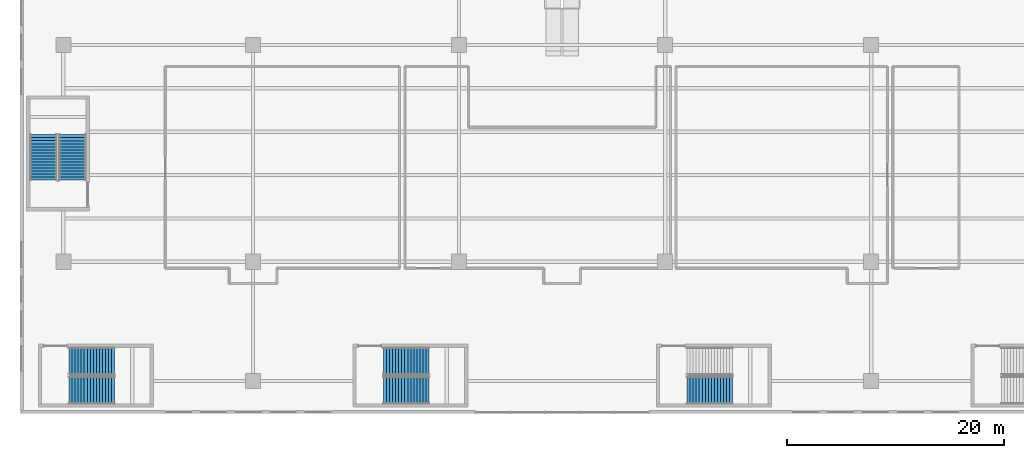
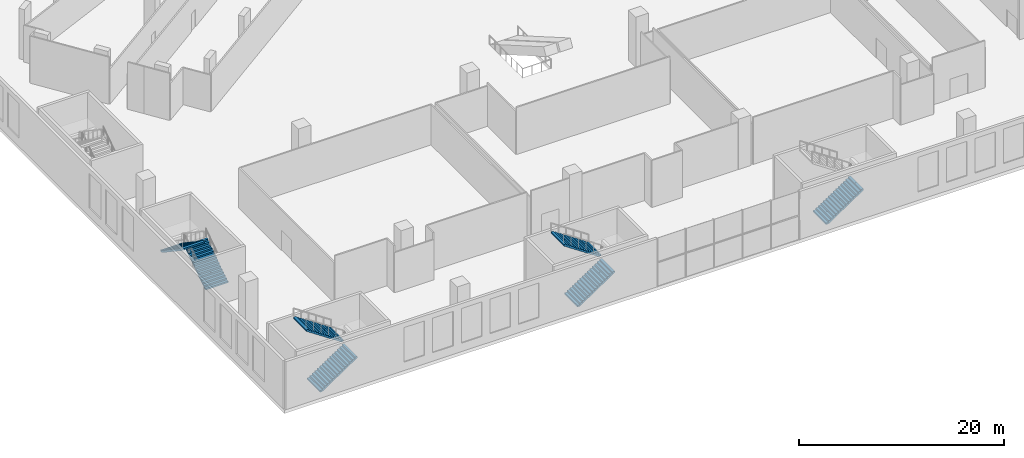
# One storey, part 13 of 25: 7 stair flights, 4 elements without a shape of their own.
"""IFC4 building model written with IfcOpenShell, lengths in metres."""

from ifc_helpers import new_model, si_unit, direction, frame, origin, place, context, subcontext, project, spatial, polyline, outline, extrude, material, type_object, element, aggregate, save


model = new_model("IFC4")

# Units and contexts
model_context = context("Model", 3, precision=1e-05, world=origin(), true_north=direction((0.0, 1.0)))
body_context = subcontext(model_context, "Body", "Model", "MODEL_VIEW")
ifc_project = project(units=[si_unit("LENGTHUNIT", "METRE"), si_unit("AREAUNIT", "SQUARE_METRE"), si_unit("VOLUMEUNIT", "CUBIC_METRE"), si_unit("PLANEANGLEUNIT", "RADIAN"), si_unit("MASSUNIT", "GRAM", prefix="KILO")], contexts=[model_context])

# Site, building, storey
site_placement = place(None, origin())
site = spatial("IfcSite", under=ifc_project, at=site_placement, CompositionType="ELEMENT")
building_placement = place(site_placement, origin())
building = spatial("IfcBuilding", under=site, at=building_placement, Name="Tel Ilan Convention Tower", CompositionType="ELEMENT")
storey_placement = place(building_placement, frame((0.0, 0.0, 26.0)))
storey = spatial("IfcBuildingStorey", under=building, at=storey_placement, Name="L03", CompositionType="ELEMENT", Elevation=26.0)

# Stair, stair flights
ifc_material_1 = material(Name="Concrete C40/50", Category="concrete")
stair_type = type_object("IfcStairType", Name="Pressurised Exit Stair 32 risers 188 mm", PredefinedType="HALF_TURN_STAIR", material=ifc_material_1)
stair_1_placement = place(storey_placement, origin())
stair_1 = element("IfcStair", 1, at=stair_1_placement, inside=storey, type_object=stair_type, Name="L03 Podium Exit Stair P1", PredefinedType="HALF_TURN_STAIR")
ifc_material_2 = material(Name="Precast Concrete C40/50", Category="concrete")
stair_flight_type = type_object("IfcStairFlightType", Name="Concrete Stair Flight 2525 mm 32 risers 188 mm", PredefinedType="STRAIGHT", material=ifc_material_2)
stair_flight_1_placement = place(storey_placement, frame((-45.47509765625, -79.83740234375, 0.0), z_axis=(0.0, 0.0, 1.0), x_axis=(1.0, 0.0, 0.0)))
stair_flight_1 = element("IfcStairFlight", 2, at=stair_flight_1_placement, type_object=stair_flight_type, Name="P1 flight 1", NumberOfRisers=16, NumberOfTreads=15, PredefinedType="STRAIGHT", RiserHeight=0.1875, TreadLength=0.28, context=body_context, shape_type="SweptSolid", body=[
    extrude(outline(polyline([(0.0, 0.0), (0.0, 0.1875), (0.280029296875, 0.1875), (0.280029296875, 0.375), (0.56005859375, 0.375), (0.56005859375, 0.5625), (0.840087890625, 0.5625), (0.840087890625, 0.75), (1.1201171875, 0.75), (1.1201171875, 0.9375), (1.39990234375, 0.9375), (1.39990234375, 1.125), (1.679931640625, 1.125), (1.679931640625, 1.3125), (1.9599609375, 1.3125), (1.9599609375, 1.5), (2.239990234375, 1.5), (2.239990234375, 1.6875), (2.52001953125, 1.6875), (2.52001953125, 1.875), (2.800048828125, 1.875), (2.800048828125, 2.0625), (3.080078125, 2.0625), (3.080078125, 2.25), (3.360107421875, 2.25), (3.360107421875, 2.4375), (3.639892578125, 2.4375), (3.639892578125, 2.625), (3.919921875, 2.625), (3.919921875, 2.8125), (4.199951171875, 2.8125), (4.199951171875, 3.0), (4.199951171875, 2.632080078125), (0.26953125, 0.0), (0.0, 0.0)])), frame((0.0, -0.100341796875, 0.0), z_axis=(0.0, -1.0, 0.0), x_axis=(1.0, 0.0, 0.0)), (0.0, 0.0, 1.0), 1.162109375),
    extrude(outline(polyline([(0.0, 0.0), (0.0, 0.1875), (0.280029296875, 0.1875), (0.280029296875, 0.375), (0.56005859375, 0.375), (0.56005859375, 0.5625), (0.840087890625, 0.5625), (0.840087890625, 0.75), (1.1201171875, 0.75), (1.1201171875, 0.9375), (1.39990234375, 0.9375), (1.39990234375, 1.125), (1.679931640625, 1.125), (1.679931640625, 1.3125), (1.9599609375, 1.3125), (1.9599609375, 1.5), (2.239990234375, 1.5), (2.239990234375, 1.6875), (2.52001953125, 1.6875), (2.52001953125, 1.875), (2.800048828125, 1.875), (2.800048828125, 2.0625), (3.080078125, 2.0625), (3.080078125, 2.25), (3.360107421875, 2.25), (3.360107421875, 2.4375), (3.639892578125, 2.4375), (3.639892578125, 2.625), (3.919921875, 2.625), (3.919921875, 2.8125), (4.199951171875, 2.8125), (4.199951171875, 3.0), (4.199951171875, 2.632080078125), (0.26953125, 0.0), (0.0, 0.0)])), frame((0.0, -0.000244140625, 0.0), z_axis=(0.0, -1.0, 0.0), x_axis=(1.0, 0.0, 0.0)), (0.0, 0.0, 1.0), 0.099609375),
    extrude(outline(polyline([(0.0, 0.0), (0.0, 0.1875), (0.280029296875, 0.1875), (0.280029296875, 0.375), (0.56005859375, 0.375), (0.56005859375, 0.5625), (0.840087890625, 0.5625), (0.840087890625, 0.75), (1.1201171875, 0.75), (1.1201171875, 0.9375), (1.39990234375, 0.9375), (1.39990234375, 1.125), (1.679931640625, 1.125), (1.679931640625, 1.3125), (1.9599609375, 1.3125), (1.9599609375, 1.5), (2.239990234375, 1.5), (2.239990234375, 1.6875), (2.52001953125, 1.6875), (2.52001953125, 1.875), (2.800048828125, 1.875), (2.800048828125, 2.0625), (3.080078125, 2.0625), (3.080078125, 2.25), (3.360107421875, 2.25), (3.360107421875, 2.4375), (3.639892578125, 2.4375), (3.639892578125, 2.625), (3.919921875, 2.625), (3.919921875, 2.8125), (4.199951171875, 2.8125), (4.199951171875, 3.0), (4.199951171875, 2.632080078125), (0.26953125, 0.0), (0.0, 0.0)])), frame((0.0, 0.099853515625, 0.0), z_axis=(0.0, -1.0, 0.0), x_axis=(1.0, 0.0, 0.0)), (0.0, 0.0, 1.0), 0.099609375),
    extrude(outline(polyline([(0.0, 0.0), (0.0, 0.1875), (0.280029296875, 0.1875), (0.280029296875, 0.375), (0.56005859375, 0.375), (0.56005859375, 0.5625), (0.840087890625, 0.5625), (0.840087890625, 0.75), (1.1201171875, 0.75), (1.1201171875, 0.9375), (1.39990234375, 0.9375), (1.39990234375, 1.125), (1.679931640625, 1.125), (1.679931640625, 1.3125), (1.9599609375, 1.3125), (1.9599609375, 1.5), (2.239990234375, 1.5), (2.239990234375, 1.6875), (2.52001953125, 1.6875), (2.52001953125, 1.875), (2.800048828125, 1.875), (2.800048828125, 2.0625), (3.080078125, 2.0625), (3.080078125, 2.25), (3.360107421875, 2.25), (3.360107421875, 2.4375), (3.639892578125, 2.4375), (3.639892578125, 2.625), (3.919921875, 2.625), (3.919921875, 2.8125), (4.199951171875, 2.8125), (4.199951171875, 3.0), (4.199951171875, 2.632080078125), (0.26953125, 0.0), (0.0, 0.0)])), frame((0.0, 1.262451171875, 0.0), z_axis=(0.0, -1.0, 0.0), x_axis=(1.0, 0.0, 0.0)), (0.0, 0.0, 1.0), 1.162109375),
])
stair_flight_2_placement = place(storey_placement, frame((-41.27490234375, -77.16259765625, 3.0), z_axis=(0.0, 0.0, 1.0), x_axis=(-1.0, 0.0, 0.0)))
stair_flight_2 = element("IfcStairFlight", 3, at=stair_flight_2_placement, type_object=stair_flight_type, Name="P1 flight 2", NumberOfRisers=16, NumberOfTreads=15, PredefinedType="STRAIGHT", RiserHeight=0.1875, TreadLength=0.28, context=body_context, shape_type="SweptSolid", body=[
    extrude(outline(polyline([(0.0, 0.0), (0.0, 0.1875), (0.280029296875, 0.1875), (0.280029296875, 0.375), (0.56005859375, 0.375), (0.56005859375, 0.5625), (0.840087890625, 0.5625), (0.840087890625, 0.75), (1.1201171875, 0.75), (1.1201171875, 0.9375), (1.39990234375, 0.9375), (1.39990234375, 1.125), (1.679931640625, 1.125), (1.679931640625, 1.3125), (1.9599609375, 1.3125), (1.9599609375, 1.5), (2.239990234375, 1.5), (2.239990234375, 1.6875), (2.52001953125, 1.6875), (2.52001953125, 1.875), (2.800048828125, 1.875), (2.800048828125, 2.0625), (3.080078125, 2.0625), (3.080078125, 2.25), (3.360107421875, 2.25), (3.360107421875, 2.4375), (3.639892578125, 2.4375), (3.639892578125, 2.625), (3.919921875, 2.625), (3.919921875, 2.8125), (4.199951171875, 2.8125), (4.199951171875, 3.0), (4.199951171875, 2.632080078125), (0.26953125, 0.0), (0.0, 0.0)])), frame((0.0, -0.100341796875, 0.0), z_axis=(0.0, -1.0, 0.0), x_axis=(1.0, 0.0, 0.0)), (0.0, 0.0, 1.0), 1.162109375),
    extrude(outline(polyline([(0.0, 0.0), (0.0, 0.1875), (0.280029296875, 0.1875), (0.280029296875, 0.375), (0.56005859375, 0.375), (0.56005859375, 0.5625), (0.840087890625, 0.5625), (0.840087890625, 0.75), (1.1201171875, 0.75), (1.1201171875, 0.9375), (1.39990234375, 0.9375), (1.39990234375, 1.125), (1.679931640625, 1.125), (1.679931640625, 1.3125), (1.9599609375, 1.3125), (1.9599609375, 1.5), (2.239990234375, 1.5), (2.239990234375, 1.6875), (2.52001953125, 1.6875), (2.52001953125, 1.875), (2.800048828125, 1.875), (2.800048828125, 2.0625), (3.080078125, 2.0625), (3.080078125, 2.25), (3.360107421875, 2.25), (3.360107421875, 2.4375), (3.639892578125, 2.4375), (3.639892578125, 2.625), (3.919921875, 2.625), (3.919921875, 2.8125), (4.199951171875, 2.8125), (4.199951171875, 3.0), (4.199951171875, 2.632080078125), (0.26953125, 0.0), (0.0, 0.0)])), frame((0.0, -0.000244140625, 0.0), z_axis=(0.0, -1.0, 0.0), x_axis=(1.0, 0.0, 0.0)), (0.0, 0.0, 1.0), 0.099609375),
    extrude(outline(polyline([(0.0, 0.0), (0.0, 0.1875), (0.280029296875, 0.1875), (0.280029296875, 0.375), (0.56005859375, 0.375), (0.56005859375, 0.5625), (0.840087890625, 0.5625), (0.840087890625, 0.75), (1.1201171875, 0.75), (1.1201171875, 0.9375), (1.39990234375, 0.9375), (1.39990234375, 1.125), (1.679931640625, 1.125), (1.679931640625, 1.3125), (1.9599609375, 1.3125), (1.9599609375, 1.5), (2.239990234375, 1.5), (2.239990234375, 1.6875), (2.52001953125, 1.6875), (2.52001953125, 1.875), (2.800048828125, 1.875), (2.800048828125, 2.0625), (3.080078125, 2.0625), (3.080078125, 2.25), (3.360107421875, 2.25), (3.360107421875, 2.4375), (3.639892578125, 2.4375), (3.639892578125, 2.625), (3.919921875, 2.625), (3.919921875, 2.8125), (4.199951171875, 2.8125), (4.199951171875, 3.0), (4.199951171875, 2.632080078125), (0.26953125, 0.0), (0.0, 0.0)])), frame((0.0, 0.099853515625, 0.0), z_axis=(0.0, -1.0, 0.0), x_axis=(1.0, 0.0, 0.0)), (0.0, 0.0, 1.0), 0.099609375),
    extrude(outline(polyline([(0.0, 0.0), (0.0, 0.1875), (0.280029296875, 0.1875), (0.280029296875, 0.375), (0.56005859375, 0.375), (0.56005859375, 0.5625), (0.840087890625, 0.5625), (0.840087890625, 0.75), (1.1201171875, 0.75), (1.1201171875, 0.9375), (1.39990234375, 0.9375), (1.39990234375, 1.125), (1.679931640625, 1.125), (1.679931640625, 1.3125), (1.9599609375, 1.3125), (1.9599609375, 1.5), (2.239990234375, 1.5), (2.239990234375, 1.6875), (2.52001953125, 1.6875), (2.52001953125, 1.875), (2.800048828125, 1.875), (2.800048828125, 2.0625), (3.080078125, 2.0625), (3.080078125, 2.25), (3.360107421875, 2.25), (3.360107421875, 2.4375), (3.639892578125, 2.4375), (3.639892578125, 2.625), (3.919921875, 2.625), (3.919921875, 2.8125), (4.199951171875, 2.8125), (4.199951171875, 3.0), (4.199951171875, 2.632080078125), (0.26953125, 0.0), (0.0, 0.0)])), frame((0.0, 1.262451171875, 0.0), z_axis=(0.0, -1.0, 0.0), x_axis=(1.0, 0.0, 0.0)), (0.0, 0.0, 1.0), 1.162109375),
])
aggregate(stair_1, [stair_flight_1, stair_flight_2])

stair_2_placement = place(storey_placement, origin())
stair_2 = element("IfcStair", 4, at=stair_2_placement, inside=storey, type_object=stair_type, Name="L03 Podium Exit Stair P2", PredefinedType="HALF_TURN_STAIR")
stair_flight_3_placement = place(storey_placement, frame((-16.47509765625, -79.83740234375, 0.0), z_axis=(0.0, 0.0, 1.0), x_axis=(1.0, 0.0, 0.0)))
stair_flight_3 = element("IfcStairFlight", 5, at=stair_flight_3_placement, type_object=stair_flight_type, Name="P2 flight 1", NumberOfRisers=16, NumberOfTreads=15, PredefinedType="STRAIGHT", RiserHeight=0.1875, TreadLength=0.28, context=body_context, shape_type="SweptSolid", body=[
    extrude(outline(polyline([(0.0, 0.0), (0.0, 0.1875), (0.280029296875, 0.1875), (0.280029296875, 0.375), (0.56005859375, 0.375), (0.56005859375, 0.5625), (0.840087890625, 0.5625), (0.840087890625, 0.75), (1.1201171875, 0.75), (1.1201171875, 0.9375), (1.39990234375, 0.9375), (1.39990234375, 1.125), (1.679931640625, 1.125), (1.679931640625, 1.3125), (1.9599609375, 1.3125), (1.9599609375, 1.5), (2.239990234375, 1.5), (2.239990234375, 1.6875), (2.52001953125, 1.6875), (2.52001953125, 1.875), (2.800048828125, 1.875), (2.800048828125, 2.0625), (3.080078125, 2.0625), (3.080078125, 2.25), (3.360107421875, 2.25), (3.360107421875, 2.4375), (3.639892578125, 2.4375), (3.639892578125, 2.625), (3.919921875, 2.625), (3.919921875, 2.8125), (4.199951171875, 2.8125), (4.199951171875, 3.0), (4.199951171875, 2.632080078125), (0.26953125, 0.0), (0.0, 0.0)])), frame((0.0, -0.100341796875, 0.0), z_axis=(0.0, -1.0, 0.0), x_axis=(1.0, 0.0, 0.0)), (0.0, 0.0, 1.0), 1.162109375),
    extrude(outline(polyline([(0.0, 0.0), (0.0, 0.1875), (0.280029296875, 0.1875), (0.280029296875, 0.375), (0.56005859375, 0.375), (0.56005859375, 0.5625), (0.840087890625, 0.5625), (0.840087890625, 0.75), (1.1201171875, 0.75), (1.1201171875, 0.9375), (1.39990234375, 0.9375), (1.39990234375, 1.125), (1.679931640625, 1.125), (1.679931640625, 1.3125), (1.9599609375, 1.3125), (1.9599609375, 1.5), (2.239990234375, 1.5), (2.239990234375, 1.6875), (2.52001953125, 1.6875), (2.52001953125, 1.875), (2.800048828125, 1.875), (2.800048828125, 2.0625), (3.080078125, 2.0625), (3.080078125, 2.25), (3.360107421875, 2.25), (3.360107421875, 2.4375), (3.639892578125, 2.4375), (3.639892578125, 2.625), (3.919921875, 2.625), (3.919921875, 2.8125), (4.199951171875, 2.8125), (4.199951171875, 3.0), (4.199951171875, 2.632080078125), (0.26953125, 0.0), (0.0, 0.0)])), frame((0.0, -0.000244140625, 0.0), z_axis=(0.0, -1.0, 0.0), x_axis=(1.0, 0.0, 0.0)), (0.0, 0.0, 1.0), 0.099609375),
    extrude(outline(polyline([(0.0, 0.0), (0.0, 0.1875), (0.280029296875, 0.1875), (0.280029296875, 0.375), (0.56005859375, 0.375), (0.56005859375, 0.5625), (0.840087890625, 0.5625), (0.840087890625, 0.75), (1.1201171875, 0.75), (1.1201171875, 0.9375), (1.39990234375, 0.9375), (1.39990234375, 1.125), (1.679931640625, 1.125), (1.679931640625, 1.3125), (1.9599609375, 1.3125), (1.9599609375, 1.5), (2.239990234375, 1.5), (2.239990234375, 1.6875), (2.52001953125, 1.6875), (2.52001953125, 1.875), (2.800048828125, 1.875), (2.800048828125, 2.0625), (3.080078125, 2.0625), (3.080078125, 2.25), (3.360107421875, 2.25), (3.360107421875, 2.4375), (3.639892578125, 2.4375), (3.639892578125, 2.625), (3.919921875, 2.625), (3.919921875, 2.8125), (4.199951171875, 2.8125), (4.199951171875, 3.0), (4.199951171875, 2.632080078125), (0.26953125, 0.0), (0.0, 0.0)])), frame((0.0, 0.099853515625, 0.0), z_axis=(0.0, -1.0, 0.0), x_axis=(1.0, 0.0, 0.0)), (0.0, 0.0, 1.0), 0.099609375),
    extrude(outline(polyline([(0.0, 0.0), (0.0, 0.1875), (0.280029296875, 0.1875), (0.280029296875, 0.375), (0.56005859375, 0.375), (0.56005859375, 0.5625), (0.840087890625, 0.5625), (0.840087890625, 0.75), (1.1201171875, 0.75), (1.1201171875, 0.9375), (1.39990234375, 0.9375), (1.39990234375, 1.125), (1.679931640625, 1.125), (1.679931640625, 1.3125), (1.9599609375, 1.3125), (1.9599609375, 1.5), (2.239990234375, 1.5), (2.239990234375, 1.6875), (2.52001953125, 1.6875), (2.52001953125, 1.875), (2.800048828125, 1.875), (2.800048828125, 2.0625), (3.080078125, 2.0625), (3.080078125, 2.25), (3.360107421875, 2.25), (3.360107421875, 2.4375), (3.639892578125, 2.4375), (3.639892578125, 2.625), (3.919921875, 2.625), (3.919921875, 2.8125), (4.199951171875, 2.8125), (4.199951171875, 3.0), (4.199951171875, 2.632080078125), (0.26953125, 0.0), (0.0, 0.0)])), frame((0.0, 1.262451171875, 0.0), z_axis=(0.0, -1.0, 0.0), x_axis=(1.0, 0.0, 0.0)), (0.0, 0.0, 1.0), 1.162109375),
])
stair_flight_4_placement = place(storey_placement, frame((-12.27490234375, -77.16259765625, 3.0), z_axis=(0.0, 0.0, 1.0), x_axis=(-1.0, 0.0, 0.0)))
stair_flight_4 = element("IfcStairFlight", 6, at=stair_flight_4_placement, type_object=stair_flight_type, Name="P2 flight 2", NumberOfRisers=16, NumberOfTreads=15, PredefinedType="STRAIGHT", RiserHeight=0.1875, TreadLength=0.28, context=body_context, shape_type="SweptSolid", body=[
    extrude(outline(polyline([(0.0, 0.0), (0.0, 0.1875), (0.280029296875, 0.1875), (0.280029296875, 0.375), (0.56005859375, 0.375), (0.56005859375, 0.5625), (0.840087890625, 0.5625), (0.840087890625, 0.75), (1.1201171875, 0.75), (1.1201171875, 0.9375), (1.39990234375, 0.9375), (1.39990234375, 1.125), (1.679931640625, 1.125), (1.679931640625, 1.3125), (1.9599609375, 1.3125), (1.9599609375, 1.5), (2.239990234375, 1.5), (2.239990234375, 1.6875), (2.52001953125, 1.6875), (2.52001953125, 1.875), (2.800048828125, 1.875), (2.800048828125, 2.0625), (3.080078125, 2.0625), (3.080078125, 2.25), (3.360107421875, 2.25), (3.360107421875, 2.4375), (3.639892578125, 2.4375), (3.639892578125, 2.625), (3.919921875, 2.625), (3.919921875, 2.8125), (4.199951171875, 2.8125), (4.199951171875, 3.0), (4.199951171875, 2.632080078125), (0.26953125, 0.0), (0.0, 0.0)])), frame((0.0, -0.100341796875, 0.0), z_axis=(0.0, -1.0, 0.0), x_axis=(1.0, 0.0, 0.0)), (0.0, 0.0, 1.0), 1.162109375),
    extrude(outline(polyline([(0.0, 0.0), (0.0, 0.1875), (0.280029296875, 0.1875), (0.280029296875, 0.375), (0.56005859375, 0.375), (0.56005859375, 0.5625), (0.840087890625, 0.5625), (0.840087890625, 0.75), (1.1201171875, 0.75), (1.1201171875, 0.9375), (1.39990234375, 0.9375), (1.39990234375, 1.125), (1.679931640625, 1.125), (1.679931640625, 1.3125), (1.9599609375, 1.3125), (1.9599609375, 1.5), (2.239990234375, 1.5), (2.239990234375, 1.6875), (2.52001953125, 1.6875), (2.52001953125, 1.875), (2.800048828125, 1.875), (2.800048828125, 2.0625), (3.080078125, 2.0625), (3.080078125, 2.25), (3.360107421875, 2.25), (3.360107421875, 2.4375), (3.639892578125, 2.4375), (3.639892578125, 2.625), (3.919921875, 2.625), (3.919921875, 2.8125), (4.199951171875, 2.8125), (4.199951171875, 3.0), (4.199951171875, 2.632080078125), (0.26953125, 0.0), (0.0, 0.0)])), frame((0.0, -0.000244140625, 0.0), z_axis=(0.0, -1.0, 0.0), x_axis=(1.0, 0.0, 0.0)), (0.0, 0.0, 1.0), 0.099609375),
    extrude(outline(polyline([(0.0, 0.0), (0.0, 0.1875), (0.280029296875, 0.1875), (0.280029296875, 0.375), (0.56005859375, 0.375), (0.56005859375, 0.5625), (0.840087890625, 0.5625), (0.840087890625, 0.75), (1.1201171875, 0.75), (1.1201171875, 0.9375), (1.39990234375, 0.9375), (1.39990234375, 1.125), (1.679931640625, 1.125), (1.679931640625, 1.3125), (1.9599609375, 1.3125), (1.9599609375, 1.5), (2.239990234375, 1.5), (2.239990234375, 1.6875), (2.52001953125, 1.6875), (2.52001953125, 1.875), (2.800048828125, 1.875), (2.800048828125, 2.0625), (3.080078125, 2.0625), (3.080078125, 2.25), (3.360107421875, 2.25), (3.360107421875, 2.4375), (3.639892578125, 2.4375), (3.639892578125, 2.625), (3.919921875, 2.625), (3.919921875, 2.8125), (4.199951171875, 2.8125), (4.199951171875, 3.0), (4.199951171875, 2.632080078125), (0.26953125, 0.0), (0.0, 0.0)])), frame((0.0, 0.099853515625, 0.0), z_axis=(0.0, -1.0, 0.0), x_axis=(1.0, 0.0, 0.0)), (0.0, 0.0, 1.0), 0.099609375),
    extrude(outline(polyline([(0.0, 0.0), (0.0, 0.1875), (0.280029296875, 0.1875), (0.280029296875, 0.375), (0.56005859375, 0.375), (0.56005859375, 0.5625), (0.840087890625, 0.5625), (0.840087890625, 0.75), (1.1201171875, 0.75), (1.1201171875, 0.9375), (1.39990234375, 0.9375), (1.39990234375, 1.125), (1.679931640625, 1.125), (1.679931640625, 1.3125), (1.9599609375, 1.3125), (1.9599609375, 1.5), (2.239990234375, 1.5), (2.239990234375, 1.6875), (2.52001953125, 1.6875), (2.52001953125, 1.875), (2.800048828125, 1.875), (2.800048828125, 2.0625), (3.080078125, 2.0625), (3.080078125, 2.25), (3.360107421875, 2.25), (3.360107421875, 2.4375), (3.639892578125, 2.4375), (3.639892578125, 2.625), (3.919921875, 2.625), (3.919921875, 2.8125), (4.199951171875, 2.8125), (4.199951171875, 3.0), (4.199951171875, 2.632080078125), (0.26953125, 0.0), (0.0, 0.0)])), frame((0.0, 1.262451171875, 0.0), z_axis=(0.0, -1.0, 0.0), x_axis=(1.0, 0.0, 0.0)), (0.0, 0.0, 1.0), 1.162109375),
])
aggregate(stair_2, [stair_flight_3, stair_flight_4])

# Stair, stair flight
stair_3_placement = place(storey_placement, origin())
stair_3 = element("IfcStair", 7, at=stair_3_placement, inside=storey, type_object=stair_type, Name="L03 Podium Exit Stair P3", PredefinedType="HALF_TURN_STAIR")
stair_flight_5_placement = place(storey_placement, frame((11.52490234375, -79.83740234375, 0.0), z_axis=(0.0, 0.0, 1.0), x_axis=(1.0, 0.0, 0.0)))
stair_flight_5 = element("IfcStairFlight", 8, at=stair_flight_5_placement, type_object=stair_flight_type, Name="P3 flight 1", NumberOfRisers=16, NumberOfTreads=15, PredefinedType="STRAIGHT", RiserHeight=0.1875, TreadLength=0.28, context=body_context, shape_type="SweptSolid", body=[
    extrude(outline(polyline([(0.0, 0.0), (0.0, 0.1875), (0.280029296875, 0.1875), (0.280029296875, 0.375), (0.56005859375, 0.375), (0.56005859375, 0.5625), (0.840087890625, 0.5625), (0.840087890625, 0.75), (1.1201171875, 0.75), (1.1201171875, 0.9375), (1.39990234375, 0.9375), (1.39990234375, 1.125), (1.679931640625, 1.125), (1.679931640625, 1.3125), (1.9599609375, 1.3125), (1.9599609375, 1.5), (2.239990234375, 1.5), (2.239990234375, 1.6875), (2.52001953125, 1.6875), (2.52001953125, 1.875), (2.800048828125, 1.875), (2.800048828125, 2.0625), (3.080078125, 2.0625), (3.080078125, 2.25), (3.360107421875, 2.25), (3.360107421875, 2.4375), (3.639892578125, 2.4375), (3.639892578125, 2.625), (3.919921875, 2.625), (3.919921875, 2.8125), (4.199951171875, 2.8125), (4.199951171875, 3.0), (4.199951171875, 2.632080078125), (0.26953125, 0.0), (0.0, 0.0)])), frame((0.0, -0.100341796875, 0.0), z_axis=(0.0, -1.0, 0.0), x_axis=(1.0, 0.0, 0.0)), (0.0, 0.0, 1.0), 1.162109375),
    extrude(outline(polyline([(0.0, 0.0), (0.0, 0.1875), (0.280029296875, 0.1875), (0.280029296875, 0.375), (0.56005859375, 0.375), (0.56005859375, 0.5625), (0.840087890625, 0.5625), (0.840087890625, 0.75), (1.1201171875, 0.75), (1.1201171875, 0.9375), (1.39990234375, 0.9375), (1.39990234375, 1.125), (1.679931640625, 1.125), (1.679931640625, 1.3125), (1.9599609375, 1.3125), (1.9599609375, 1.5), (2.239990234375, 1.5), (2.239990234375, 1.6875), (2.52001953125, 1.6875), (2.52001953125, 1.875), (2.800048828125, 1.875), (2.800048828125, 2.0625), (3.080078125, 2.0625), (3.080078125, 2.25), (3.360107421875, 2.25), (3.360107421875, 2.4375), (3.639892578125, 2.4375), (3.639892578125, 2.625), (3.919921875, 2.625), (3.919921875, 2.8125), (4.199951171875, 2.8125), (4.199951171875, 3.0), (4.199951171875, 2.632080078125), (0.26953125, 0.0), (0.0, 0.0)])), frame((0.0, -0.000244140625, 0.0), z_axis=(0.0, -1.0, 0.0), x_axis=(1.0, 0.0, 0.0)), (0.0, 0.0, 1.0), 0.099609375),
    extrude(outline(polyline([(0.0, 0.0), (0.0, 0.1875), (0.280029296875, 0.1875), (0.280029296875, 0.375), (0.56005859375, 0.375), (0.56005859375, 0.5625), (0.840087890625, 0.5625), (0.840087890625, 0.75), (1.1201171875, 0.75), (1.1201171875, 0.9375), (1.39990234375, 0.9375), (1.39990234375, 1.125), (1.679931640625, 1.125), (1.679931640625, 1.3125), (1.9599609375, 1.3125), (1.9599609375, 1.5), (2.239990234375, 1.5), (2.239990234375, 1.6875), (2.52001953125, 1.6875), (2.52001953125, 1.875), (2.800048828125, 1.875), (2.800048828125, 2.0625), (3.080078125, 2.0625), (3.080078125, 2.25), (3.360107421875, 2.25), (3.360107421875, 2.4375), (3.639892578125, 2.4375), (3.639892578125, 2.625), (3.919921875, 2.625), (3.919921875, 2.8125), (4.199951171875, 2.8125), (4.199951171875, 3.0), (4.199951171875, 2.632080078125), (0.26953125, 0.0), (0.0, 0.0)])), frame((0.0, 0.099853515625, 0.0), z_axis=(0.0, -1.0, 0.0), x_axis=(1.0, 0.0, 0.0)), (0.0, 0.0, 1.0), 0.099609375),
    extrude(outline(polyline([(0.0, 0.0), (0.0, 0.1875), (0.280029296875, 0.1875), (0.280029296875, 0.375), (0.56005859375, 0.375), (0.56005859375, 0.5625), (0.840087890625, 0.5625), (0.840087890625, 0.75), (1.1201171875, 0.75), (1.1201171875, 0.9375), (1.39990234375, 0.9375), (1.39990234375, 1.125), (1.679931640625, 1.125), (1.679931640625, 1.3125), (1.9599609375, 1.3125), (1.9599609375, 1.5), (2.239990234375, 1.5), (2.239990234375, 1.6875), (2.52001953125, 1.6875), (2.52001953125, 1.875), (2.800048828125, 1.875), (2.800048828125, 2.0625), (3.080078125, 2.0625), (3.080078125, 2.25), (3.360107421875, 2.25), (3.360107421875, 2.4375), (3.639892578125, 2.4375), (3.639892578125, 2.625), (3.919921875, 2.625), (3.919921875, 2.8125), (4.199951171875, 2.8125), (4.199951171875, 3.0), (4.199951171875, 2.632080078125), (0.26953125, 0.0), (0.0, 0.0)])), frame((0.0, 1.262451171875, 0.0), z_axis=(0.0, -1.0, 0.0), x_axis=(1.0, 0.0, 0.0)), (0.0, 0.0, 1.0), 1.162109375),
])
aggregate(stair_3, [stair_flight_5])

# Stair, stair flights
stair_4_placement = place(storey_placement, origin())
stair_4 = element("IfcStair", 9, at=stair_4_placement, inside=storey, type_object=stair_type, Name="L03 Podium Exit Stair P5", PredefinedType="HALF_TURN_STAIR")
stair_flight_6_placement = place(storey_placement, frame((-45.16259765625, -60.47509765625, 0.0), z_axis=(0.0, 0.0, 1.0), x_axis=(0.0, 1.0, 0.0)))
stair_flight_6 = element("IfcStairFlight", 10, at=stair_flight_6_placement, type_object=stair_flight_type, Name="P5 flight 1", NumberOfRisers=16, NumberOfTreads=15, PredefinedType="STRAIGHT", RiserHeight=0.1875, TreadLength=0.28, context=body_context, shape_type="SweptSolid", body=[
    extrude(outline(polyline([(0.0, 0.0), (0.0, 0.1875), (0.280029296875, 0.1875), (0.280029296875, 0.375), (0.56005859375, 0.375), (0.56005859375, 0.5625), (0.840087890625, 0.5625), (0.840087890625, 0.75), (1.1201171875, 0.75), (1.1201171875, 0.9375), (1.39990234375, 0.9375), (1.39990234375, 1.125), (1.679931640625, 1.125), (1.679931640625, 1.3125), (1.9599609375, 1.3125), (1.9599609375, 1.5), (2.239990234375, 1.5), (2.239990234375, 1.6875), (2.52001953125, 1.6875), (2.52001953125, 1.875), (2.800048828125, 1.875), (2.800048828125, 2.0625), (3.080078125, 2.0625), (3.080078125, 2.25), (3.360107421875, 2.25), (3.360107421875, 2.4375), (3.639892578125, 2.4375), (3.639892578125, 2.625), (3.919921875, 2.625), (3.919921875, 2.8125), (4.199951171875, 2.8125), (4.199951171875, 3.0), (4.199951171875, 2.632080078125), (0.26953125, 0.0), (0.0, 0.0)])), frame((0.0, -0.100341796875, 0.0), z_axis=(0.0, -1.0, 0.0), x_axis=(1.0, 0.0, 0.0)), (0.0, 0.0, 1.0), 1.162109375),
    extrude(outline(polyline([(0.0, 0.0), (0.0, 0.1875), (0.280029296875, 0.1875), (0.280029296875, 0.375), (0.56005859375, 0.375), (0.56005859375, 0.5625), (0.840087890625, 0.5625), (0.840087890625, 0.75), (1.1201171875, 0.75), (1.1201171875, 0.9375), (1.39990234375, 0.9375), (1.39990234375, 1.125), (1.679931640625, 1.125), (1.679931640625, 1.3125), (1.9599609375, 1.3125), (1.9599609375, 1.5), (2.239990234375, 1.5), (2.239990234375, 1.6875), (2.52001953125, 1.6875), (2.52001953125, 1.875), (2.800048828125, 1.875), (2.800048828125, 2.0625), (3.080078125, 2.0625), (3.080078125, 2.25), (3.360107421875, 2.25), (3.360107421875, 2.4375), (3.639892578125, 2.4375), (3.639892578125, 2.625), (3.919921875, 2.625), (3.919921875, 2.8125), (4.199951171875, 2.8125), (4.199951171875, 3.0), (4.199951171875, 2.632080078125), (0.26953125, 0.0), (0.0, 0.0)])), frame((0.0, -0.000244140625, 0.0), z_axis=(0.0, -1.0, 0.0), x_axis=(1.0, 0.0, 0.0)), (0.0, 0.0, 1.0), 0.099609375),
    extrude(outline(polyline([(0.0, 0.0), (0.0, 0.1875), (0.280029296875, 0.1875), (0.280029296875, 0.375), (0.56005859375, 0.375), (0.56005859375, 0.5625), (0.840087890625, 0.5625), (0.840087890625, 0.75), (1.1201171875, 0.75), (1.1201171875, 0.9375), (1.39990234375, 0.9375), (1.39990234375, 1.125), (1.679931640625, 1.125), (1.679931640625, 1.3125), (1.9599609375, 1.3125), (1.9599609375, 1.5), (2.239990234375, 1.5), (2.239990234375, 1.6875), (2.52001953125, 1.6875), (2.52001953125, 1.875), (2.800048828125, 1.875), (2.800048828125, 2.0625), (3.080078125, 2.0625), (3.080078125, 2.25), (3.360107421875, 2.25), (3.360107421875, 2.4375), (3.639892578125, 2.4375), (3.639892578125, 2.625), (3.919921875, 2.625), (3.919921875, 2.8125), (4.199951171875, 2.8125), (4.199951171875, 3.0), (4.199951171875, 2.632080078125), (0.26953125, 0.0), (0.0, 0.0)])), frame((0.0, 0.099853515625, 0.0), z_axis=(0.0, -1.0, 0.0), x_axis=(1.0, 0.0, 0.0)), (0.0, 0.0, 1.0), 0.099609375),
    extrude(outline(polyline([(0.0, 0.0), (0.0, 0.1875), (0.280029296875, 0.1875), (0.280029296875, 0.375), (0.56005859375, 0.375), (0.56005859375, 0.5625), (0.840087890625, 0.5625), (0.840087890625, 0.75), (1.1201171875, 0.75), (1.1201171875, 0.9375), (1.39990234375, 0.9375), (1.39990234375, 1.125), (1.679931640625, 1.125), (1.679931640625, 1.3125), (1.9599609375, 1.3125), (1.9599609375, 1.5), (2.239990234375, 1.5), (2.239990234375, 1.6875), (2.52001953125, 1.6875), (2.52001953125, 1.875), (2.800048828125, 1.875), (2.800048828125, 2.0625), (3.080078125, 2.0625), (3.080078125, 2.25), (3.360107421875, 2.25), (3.360107421875, 2.4375), (3.639892578125, 2.4375), (3.639892578125, 2.625), (3.919921875, 2.625), (3.919921875, 2.8125), (4.199951171875, 2.8125), (4.199951171875, 3.0), (4.199951171875, 2.632080078125), (0.26953125, 0.0), (0.0, 0.0)])), frame((0.0, 1.262451171875, 0.0), z_axis=(0.0, -1.0, 0.0), x_axis=(1.0, 0.0, 0.0)), (0.0, 0.0, 1.0), 1.162109375),
])
stair_flight_7_placement = place(storey_placement, frame((-47.83740234375, -56.27490234375, 3.0), z_axis=(0.0, 0.0, 1.0), x_axis=(0.0, -1.0, 0.0)))
stair_flight_7 = element("IfcStairFlight", 11, at=stair_flight_7_placement, type_object=stair_flight_type, Name="P5 flight 2", NumberOfRisers=16, NumberOfTreads=15, PredefinedType="STRAIGHT", RiserHeight=0.1875, TreadLength=0.28, context=body_context, shape_type="SweptSolid", body=[
    extrude(outline(polyline([(0.0, 0.0), (0.0, 0.1875), (0.280029296875, 0.1875), (0.280029296875, 0.375), (0.56005859375, 0.375), (0.56005859375, 0.5625), (0.840087890625, 0.5625), (0.840087890625, 0.75), (1.1201171875, 0.75), (1.1201171875, 0.9375), (1.39990234375, 0.9375), (1.39990234375, 1.125), (1.679931640625, 1.125), (1.679931640625, 1.3125), (1.9599609375, 1.3125), (1.9599609375, 1.5), (2.239990234375, 1.5), (2.239990234375, 1.6875), (2.52001953125, 1.6875), (2.52001953125, 1.875), (2.800048828125, 1.875), (2.800048828125, 2.0625), (3.080078125, 2.0625), (3.080078125, 2.25), (3.360107421875, 2.25), (3.360107421875, 2.4375), (3.639892578125, 2.4375), (3.639892578125, 2.625), (3.919921875, 2.625), (3.919921875, 2.8125), (4.199951171875, 2.8125), (4.199951171875, 3.0), (4.199951171875, 2.632080078125), (0.26953125, 0.0), (0.0, 0.0)])), frame((0.0, -0.100341796875, 0.0), z_axis=(0.0, -1.0, 0.0), x_axis=(1.0, 0.0, 0.0)), (0.0, 0.0, 1.0), 1.162109375),
    extrude(outline(polyline([(0.0, 0.0), (0.0, 0.1875), (0.280029296875, 0.1875), (0.280029296875, 0.375), (0.56005859375, 0.375), (0.56005859375, 0.5625), (0.840087890625, 0.5625), (0.840087890625, 0.75), (1.1201171875, 0.75), (1.1201171875, 0.9375), (1.39990234375, 0.9375), (1.39990234375, 1.125), (1.679931640625, 1.125), (1.679931640625, 1.3125), (1.9599609375, 1.3125), (1.9599609375, 1.5), (2.239990234375, 1.5), (2.239990234375, 1.6875), (2.52001953125, 1.6875), (2.52001953125, 1.875), (2.800048828125, 1.875), (2.800048828125, 2.0625), (3.080078125, 2.0625), (3.080078125, 2.25), (3.360107421875, 2.25), (3.360107421875, 2.4375), (3.639892578125, 2.4375), (3.639892578125, 2.625), (3.919921875, 2.625), (3.919921875, 2.8125), (4.199951171875, 2.8125), (4.199951171875, 3.0), (4.199951171875, 2.632080078125), (0.26953125, 0.0), (0.0, 0.0)])), frame((0.0, -0.000244140625, 0.0), z_axis=(0.0, -1.0, 0.0), x_axis=(1.0, 0.0, 0.0)), (0.0, 0.0, 1.0), 0.099609375),
    extrude(outline(polyline([(0.0, 0.0), (0.0, 0.1875), (0.280029296875, 0.1875), (0.280029296875, 0.375), (0.56005859375, 0.375), (0.56005859375, 0.5625), (0.840087890625, 0.5625), (0.840087890625, 0.75), (1.1201171875, 0.75), (1.1201171875, 0.9375), (1.39990234375, 0.9375), (1.39990234375, 1.125), (1.679931640625, 1.125), (1.679931640625, 1.3125), (1.9599609375, 1.3125), (1.9599609375, 1.5), (2.239990234375, 1.5), (2.239990234375, 1.6875), (2.52001953125, 1.6875), (2.52001953125, 1.875), (2.800048828125, 1.875), (2.800048828125, 2.0625), (3.080078125, 2.0625), (3.080078125, 2.25), (3.360107421875, 2.25), (3.360107421875, 2.4375), (3.639892578125, 2.4375), (3.639892578125, 2.625), (3.919921875, 2.625), (3.919921875, 2.8125), (4.199951171875, 2.8125), (4.199951171875, 3.0), (4.199951171875, 2.632080078125), (0.26953125, 0.0), (0.0, 0.0)])), frame((0.0, 0.099853515625, 0.0), z_axis=(0.0, -1.0, 0.0), x_axis=(1.0, 0.0, 0.0)), (0.0, 0.0, 1.0), 0.099609375),
    extrude(outline(polyline([(0.0, 0.0), (0.0, 0.1875), (0.280029296875, 0.1875), (0.280029296875, 0.375), (0.56005859375, 0.375), (0.56005859375, 0.5625), (0.840087890625, 0.5625), (0.840087890625, 0.75), (1.1201171875, 0.75), (1.1201171875, 0.9375), (1.39990234375, 0.9375), (1.39990234375, 1.125), (1.679931640625, 1.125), (1.679931640625, 1.3125), (1.9599609375, 1.3125), (1.9599609375, 1.5), (2.239990234375, 1.5), (2.239990234375, 1.6875), (2.52001953125, 1.6875), (2.52001953125, 1.875), (2.800048828125, 1.875), (2.800048828125, 2.0625), (3.080078125, 2.0625), (3.080078125, 2.25), (3.360107421875, 2.25), (3.360107421875, 2.4375), (3.639892578125, 2.4375), (3.639892578125, 2.625), (3.919921875, 2.625), (3.919921875, 2.8125), (4.199951171875, 2.8125), (4.199951171875, 3.0), (4.199951171875, 2.632080078125), (0.26953125, 0.0), (0.0, 0.0)])), frame((0.0, 1.262451171875, 0.0), z_axis=(0.0, -1.0, 0.0), x_axis=(1.0, 0.0, 0.0)), (0.0, 0.0, 1.0), 1.162109375),
])
aggregate(stair_4, [stair_flight_6, stair_flight_7])

save(model, "model.ifc")
